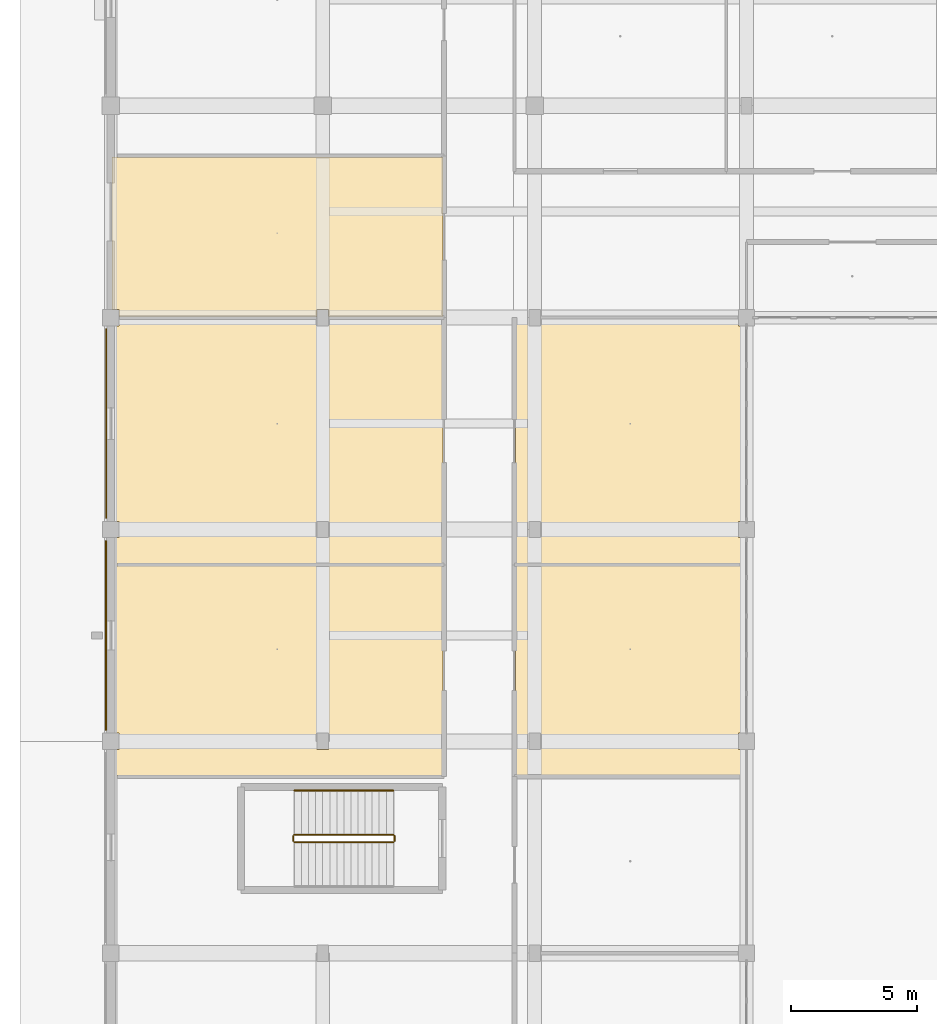
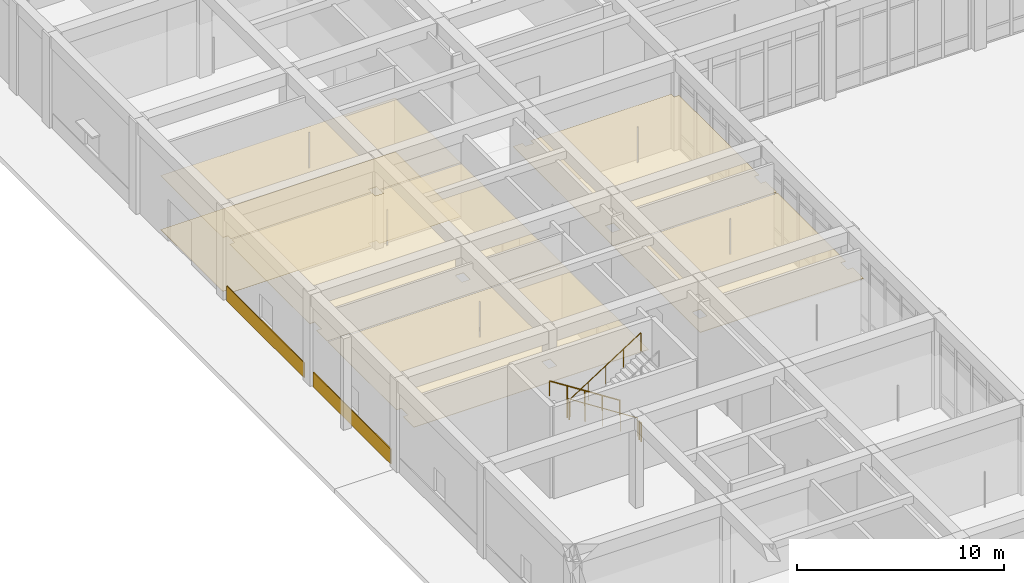
# One storey, part 147 of 167: 8 coverings, 5 railings.
"""IFC4 building model written with IfcOpenShell, lengths in metres."""

from ifc_helpers import new_model, si_unit, direction, frame, origin, origin_2d, place, context, subcontext, project, spatial, polyline, rectangle, circle, outline, extrude, material, layer, layer_set, type_object, element, save


model = new_model("IFC4")

# Units and contexts
model_context = context("Model", 3, precision=1e-05, world=origin(), true_north=direction((0.0, 1.0)))
body_context = subcontext(model_context, "Body", "Model", "MODEL_VIEW")
ifc_project = project(units=[si_unit("LENGTHUNIT", "METRE"), si_unit("AREAUNIT", "SQUARE_METRE"), si_unit("VOLUMEUNIT", "CUBIC_METRE"), si_unit("PLANEANGLEUNIT", "RADIAN"), si_unit("MASSUNIT", "GRAM", prefix="KILO")], contexts=[model_context])

# Site, building, storey
site_placement = place(None, origin())
site = spatial("IfcSite", under=ifc_project, at=site_placement, CompositionType="ELEMENT")
building_placement = place(site_placement, origin())
building = spatial("IfcBuilding", under=site, at=building_placement, Name="Varncliffe General Hospital", CompositionType="ELEMENT")
storey_placement = place(building_placement, origin())
storey = spatial("IfcBuildingStorey", under=building, at=storey_placement, Name="L00", CompositionType="ELEMENT", Elevation=0.0)

# Coverings
ifc_material_1 = material(Name="Hygienic antimicrobial acoustic suspended ceiling tile", Category="gypsum")
ifc_layer_1 = layer(ifc_material_1, 0.02490234375)
ifc_layer_set_1 = layer_set([ifc_layer_1], Name="Hygienic antimicrobial acoustic suspended ceiling tile")
covering_type_1 = type_object("IfcCoveringType", Name="Antimicrobial Acoustic Suspended Ceiling CLG44", PredefinedType="CEILING", material=ifc_layer_set_1)
covering_1_placement = place(storey_placement, frame((0.0, 0.0, 3.175048828125)))
element("IfcCovering", 1, at=covering_1_placement, inside=storey, type_object=covering_type_1, Name="L00 Diagnostic 3T MRI Imaging Suite 53 Suspended Ceiling", PredefinedType="CEILING", context=body_context, shape_type="SweptSolid", body=[
    extrude(outline(polyline([(0.0400390625, 72.9599609375), (13.159912109375, 72.9599609375), (13.159912109375, 64.639892578125), (0.0400390625, 64.639892578125), (0.0400390625, 65.675048828125), (0.324951171875, 65.675048828125), (0.324951171875, 66.324951171875), (0.0400390625, 66.324951171875), (0.0400390625, 72.9599609375)]), holes=[polyline([(8.625, 65.675048828125), (8.625, 66.324951171875), (8.175048828125, 66.324951171875), (8.175048828125, 65.675048828125), (8.625, 65.675048828125)])]), origin(), (0.0, 0.0, 1.0), 0.02490234375),
])
covering_2_placement = place(storey_placement, frame((0.0, 0.0, 3.175048828125)))
element("IfcCovering", 2, at=covering_2_placement, inside=storey, type_object=covering_type_1, Name="L00 Dual-Source CT Radiology Room 54 Suspended Ceiling", PredefinedType="CEILING", context=body_context, shape_type="SweptSolid", body=[
    extrude(outline(polyline([(13.159912109375, 73.0400390625), (0.0400390625, 73.0400390625), (0.0400390625, 74.074951171875), (0.324951171875, 74.074951171875), (0.324951171875, 74.72509765625), (0.0400390625, 74.72509765625), (0.0400390625, 82.47509765625), (0.324951171875, 82.47509765625), (0.324951171875, 82.760009765625), (8.175048828125, 82.760009765625), (8.175048828125, 82.47509765625), (8.625, 82.47509765625), (8.625, 82.760009765625), (13.159912109375, 82.760009765625), (13.159912109375, 73.0400390625)]), holes=[polyline([(8.625, 74.074951171875), (8.625, 74.72509765625), (8.175048828125, 74.72509765625), (8.175048828125, 74.074951171875), (8.625, 74.074951171875)])]), origin(), (0.0, 0.0, 1.0), 0.02490234375),
])
covering_3_placement = place(storey_placement, frame((0.0, 0.0, 3.175048828125)))
element("IfcCovering", 3, at=covering_3_placement, inside=storey, type_object=covering_type_1, Name="L00 Diagnostic 3T MRI Imaging Suite 58 Suspended Ceiling", PredefinedType="CEILING", context=body_context, shape_type="SweptSolid", body=[
    extrude(outline(polyline([(25.159912109375, 64.639892578125), (16.0400390625, 64.639892578125), (16.0400390625, 72.9599609375), (25.159912109375, 72.9599609375), (25.159912109375, 66.324951171875), (24.875, 66.324951171875), (24.875, 65.675048828125), (25.159912109375, 65.675048828125), (25.159912109375, 64.639892578125)]), holes=[polyline([(17.02490234375, 65.675048828125), (17.02490234375, 66.324951171875), (16.574951171875, 66.324951171875), (16.574951171875, 65.675048828125), (17.02490234375, 65.675048828125)])]), origin(), (0.0, 0.0, 1.0), 0.02490234375),
])
covering_4_placement = place(storey_placement, frame((0.0, 0.0, 3.175048828125)))
element("IfcCovering", 4, at=covering_4_placement, inside=storey, type_object=covering_type_1, Name="L00 Dual-Source CT Radiology Room 59 Suspended Ceiling", PredefinedType="CEILING", context=body_context, shape_type="SweptSolid", body=[
    extrude(outline(polyline([(24.875, 74.72509765625), (24.875, 74.074951171875), (25.159912109375, 74.074951171875), (25.159912109375, 73.0400390625), (16.0400390625, 73.0400390625), (16.0400390625, 82.760009765625), (16.574951171875, 82.760009765625), (16.574951171875, 82.47509765625), (17.02490234375, 82.47509765625), (17.02490234375, 82.760009765625), (24.875, 82.760009765625), (24.875, 82.47509765625), (25.159912109375, 82.47509765625), (25.159912109375, 74.72509765625), (24.875, 74.72509765625)]), holes=[polyline([(17.02490234375, 74.074951171875), (17.02490234375, 74.72509765625), (16.574951171875, 74.72509765625), (16.574951171875, 74.074951171875), (17.02490234375, 74.074951171875)])]), origin(), (0.0, 0.0, 1.0), 0.02490234375),
])
covering_5_placement = place(storey_placement, frame((0.0, 0.0, 3.175048828125)))
element("IfcCovering", 5, at=covering_5_placement, inside=storey, type_object=covering_type_1, Name="L00 Outpatient Phlebotomy and Pre-Admission Clinic 137 Suspended Ceiling", PredefinedType="CEILING", context=body_context, shape_type="SweptSolid", body=[
    extrude(outline(polyline([(13.159912109375, 89.159912109375), (13.159912109375, 82.840087890625), (8.625, 82.840087890625), (8.625, 83.125), (8.175048828125, 83.125), (8.175048828125, 82.840087890625), (0.324951171875, 82.840087890625), (0.324951171875, 83.125), (0.0400390625, 83.125), (0.0400390625, 89.159912109375), (13.159912109375, 89.159912109375)])), origin(), (0.0, 0.0, 1.0), 0.02490234375),
])
ifc_material_2 = material(Name="Credit Valley buff limestone ashlar cladding", Category="masonry")
ifc_layer_2 = layer(ifc_material_2, 0.050048828125)
ifc_layer_set_2 = layer_set([ifc_layer_2], Name="Credit Valley buff limestone ashlar cladding")
covering_type_2 = type_object("IfcCoveringType", Name="Credit Valley Limestone Ashlar Plinth Cladding CLD17", PredefinedType="CLADDING", material=ifc_layer_set_2)
for number, where, z_axis, x_axis, name in (
    (6, (-0.18994140625, 70.199951171875, 0.010009765625), (0.0, 0.0, 1.0), (0.0, 1.0, 0.0), "L00 Limestone Base Cladding 4"),
    (7, (-0.179931640625, 78.60009765625, 0.010009765625), (0.0, 0.0, 1.0), (0.0, 1.0, 0.0), "L00 Limestone Base Cladding 5"),
):
    element("IfcCovering", number, at=place(storey_placement, frame(where, z_axis=z_axis, x_axis=x_axis)), inside=storey, type_object=covering_type_2, Name=name, PredefinedType="CLADDING", context=body_context, shape_type="SweptSolid", body=[
        extrude(rectangle(XDim=7.513916015625, YDim=0.050048828125, at=origin_2d()), origin(), (0.0, 0.0, 1.0), 0.8798828125),
    ])
ifc_material_3 = material(Name="Seamless welded hospital sheet linoleum and terrazzo flooring", Category="linoleum")
ifc_layer_3 = layer(ifc_material_3, 0.011962890625)
ifc_layer_set_3 = layer_set([ifc_layer_3], Name="Seamless welded hospital sheet linoleum and terrazzo flooring")
covering_type_3 = type_object("IfcCoveringType", Name="Seamless Hospital Linoleum Flooring FLR19", PredefinedType="FLOORING", material=ifc_layer_set_3)
covering_6_placement = place(storey_placement, origin())
element("IfcCovering", 8, at=covering_6_placement, inside=storey, type_object=covering_type_3, Name="L00 Outpatient Phlebotomy and Pre-Admission Clinic 137 Seamless Flooring", PredefinedType="FLOORING", context=body_context, shape_type="SweptSolid", body=[
    extrude(outline(polyline([(13.159912109375, 89.159912109375), (13.159912109375, 82.840087890625), (8.625, 82.840087890625), (8.625, 83.125), (8.175048828125, 83.125), (8.175048828125, 82.840087890625), (0.324951171875, 82.840087890625), (0.324951171875, 83.125), (0.0400390625, 83.125), (0.0400390625, 89.159912109375), (13.159912109375, 89.159912109375)])), origin(), (0.0, 0.0, 1.0), 0.011962890625),
])

# Railings
ifc_material_4 = material(Name="Powder-coated hospital steel guardrail and handrail", Category="steel")
railing_type_1 = type_object("IfcRailingType", Name="Stair and Ramp Handrail HR46", PredefinedType="HANDRAIL", material=ifc_material_4)
railing_1_placement = place(storey_placement, frame((11.199951171875, 64.050048828125, 0.364013671875)))
element("IfcRailing", 9, at=railing_1_placement, inside=storey, type_object=railing_type_1, Name="L00 ST05 stair handrail 1", PredefinedType="HANDRAIL", context=body_context, shape_type="SweptSolid", body=[
    extrude(circle(Radius=0.02392578125, at=origin_2d()), frame((0.0, 0.0, 0.8759765625), z_axis=(-0.841171666519, 0.0, 0.540768182723), x_axis=(0.0, -1.0, 0.0)), (0.0, 0.0, 1.0), 4.66015625),
    extrude(circle(Radius=0.02099609375, at=origin_2d()), origin(), (0.0, 0.0, 1.0), 0.851806640625),
    extrude(circle(Radius=0.02099609375, at=origin_2d()), frame((-0.97998046875, 0.0, 0.6298828125)), (0.0, 0.0, 1.0), 0.851806640625),
    extrude(circle(Radius=0.02099609375, at=origin_2d()), frame((-1.9599609375, 0.0, 1.260009765625)), (0.0, 0.0, 1.0), 0.851806640625),
    extrude(circle(Radius=0.02099609375, at=origin_2d()), frame((-2.93994140625, 0.0, 1.89013671875)), (0.0, 0.0, 1.0), 0.851806640625),
    extrude(circle(Radius=0.02099609375, at=origin_2d()), frame((-3.919921875, 0.0, 2.52001953125)), (0.0, 0.0, 1.0), 0.851806640625),
])
railing_type_2 = type_object("IfcRailingType", Name="Stairwell Guardrail SG49", PredefinedType="GUARDRAIL", material=ifc_material_4)
railing_2_placement = place(storey_placement, frame((11.199951171875, 62.300048828125, 0.179931640625)))
element("IfcRailing", 10, at=railing_2_placement, inside=storey, type_object=railing_type_2, Name="L00 ST05 stair guard 1", PredefinedType="GUARDRAIL", context=body_context, shape_type="SweptSolid", body=[
    extrude(circle(Radius=0.02392578125, at=origin_2d()), frame((0.0, 0.0, 1.076171875), z_axis=(-0.841171666519, 0.0, 0.540768182723), x_axis=(0.0, -1.0, 0.0)), (0.0, 0.0, 1.0), 4.66015625),
    extrude(circle(Radius=0.02099609375, at=origin_2d()), origin(), (0.0, 0.0, 1.0), 1.052001953125),
    extrude(circle(Radius=0.02099609375, at=origin_2d()), frame((-0.97998046875, 0.0, 0.6298828125)), (0.0, 0.0, 1.0), 1.052001953125),
    extrude(circle(Radius=0.02099609375, at=origin_2d()), frame((-1.9599609375, 0.0, 1.260009765625)), (0.0, 0.0, 1.0), 1.052001953125),
    extrude(circle(Radius=0.02099609375, at=origin_2d()), frame((-2.93994140625, 0.0, 1.89013671875)), (0.0, 0.0, 1.0), 1.052001953125),
    extrude(circle(Radius=0.02099609375, at=origin_2d()), frame((-3.919921875, 0.0, 2.52001953125)), (0.0, 0.0, 1.0), 1.052001953125),
])
railing_3_placement = place(storey_placement, frame((7.22998046875, 62.25, 2.699951171875)))
element("IfcRailing", 11, at=railing_3_placement, inside=storey, type_object=railing_type_2, Name="L00 ST05 stair guard 2", PredefinedType="GUARDRAIL", context=body_context, shape_type="SweptSolid", body=[
    extrude(circle(Radius=0.02392578125, at=origin_2d()), frame((0.0, 0.0, 1.076171875), z_axis=(0.0, -1.0, 0.0), x_axis=(1.0, 0.0, 0.0)), (0.0, 0.0, 1.0), 0.199951171875),
    extrude(circle(Radius=0.02099609375, at=origin_2d()), origin(), (0.0, 0.0, 1.0), 1.052001953125),
    extrude(circle(Radius=0.02099609375, at=origin_2d()), frame((0.0, -0.199951171875, 0.0)), (0.0, 0.0, 1.0), 1.052001953125),
])
railing_4_placement = place(storey_placement, frame((7.280029296875, 62.0, 2.8798828125)))
element("IfcRailing", 12, at=railing_4_placement, inside=storey, type_object=railing_type_2, Name="L00 ST05 stair guard 3", PredefinedType="GUARDRAIL", context=body_context, shape_type="SweptSolid", body=[
    extrude(circle(Radius=0.02392578125, at=origin_2d()), frame((0.0, 0.0, 1.076171875), z_axis=(0.841171666519, 0.0, 0.540768182723), x_axis=(0.0, 1.0, 0.0)), (0.0, 0.0, 1.0), 4.66015625),
    extrude(circle(Radius=0.02099609375, at=origin_2d()), origin(), (0.0, 0.0, 1.0), 1.052001953125),
    extrude(circle(Radius=0.02099609375, at=origin_2d()), frame((0.97998046875, 0.0, 0.6298828125)), (0.0, 0.0, 1.0), 1.052001953125),
    extrude(circle(Radius=0.02099609375, at=origin_2d()), frame((1.9599609375, 0.0, 1.260009765625)), (0.0, 0.0, 1.0), 1.052001953125),
    extrude(circle(Radius=0.02099609375, at=origin_2d()), frame((2.93994140625, 0.0, 1.89013671875)), (0.0, 0.0, 1.0), 1.052001953125),
    extrude(circle(Radius=0.02099609375, at=origin_2d()), frame((3.919921875, 0.0, 2.52001953125)), (0.0, 0.0, 1.0), 1.052001953125),
])
railing_5_placement = place(storey_placement, frame((11.25, 62.25, 0.0)))
element("IfcRailing", 13, at=railing_5_placement, inside=storey, type_object=railing_type_2, Name="L00 ST05 stair guard 4", PredefinedType="GUARDRAIL", context=body_context, shape_type="SweptSolid", body=[
    extrude(circle(Radius=0.02392578125, at=origin_2d()), frame((0.0, 0.0, 1.076171875), z_axis=(0.0, -1.0, 0.0), x_axis=(1.0, 0.0, 0.0)), (0.0, 0.0, 1.0), 0.199951171875),
    extrude(circle(Radius=0.02099609375, at=origin_2d()), origin(), (0.0, 0.0, 1.0), 1.052001953125),
    extrude(circle(Radius=0.02099609375, at=origin_2d()), frame((0.0, -0.199951171875, 0.0)), (0.0, 0.0, 1.0), 1.052001953125),
])

save(model, "model.ifc")
